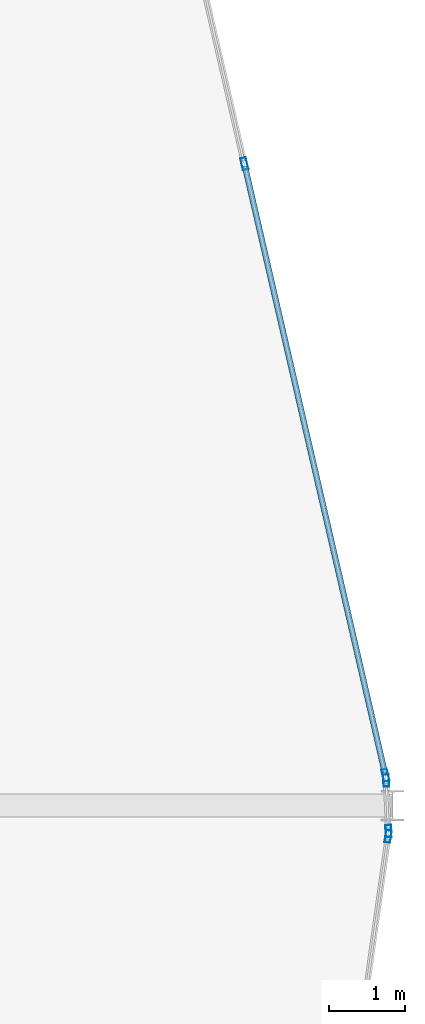
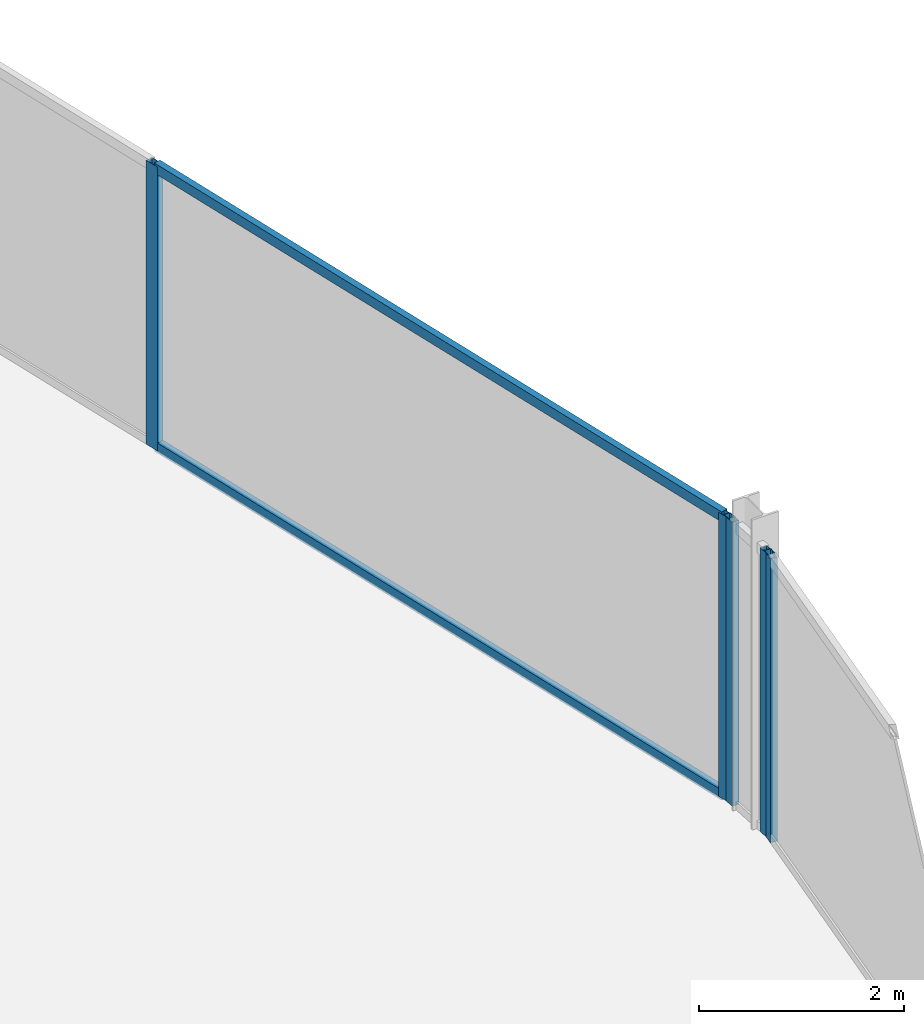
# One storey, part 14 of 27: 7 members, 3 elements without a shape of their own.
"""IFC4 building model written with IfcOpenShell, lengths in metres."""

from ifc_helpers import new_model, si_unit, direction, frame, origin, origin_2d, place, context, subcontext, project, spatial, hollow_rectangle, extrude, material, layer, layer_set, material_profile, profile_set, type_object, element, aggregate, save


model = new_model("IFC4")

# Units and contexts
model_context = context("Model", 3, precision=1e-05, world=origin(), true_north=direction((0.0, 1.0)))
body_context = subcontext(model_context, "Body", "Model", "MODEL_VIEW")
ifc_project = project(units=[si_unit("LENGTHUNIT", "METRE"), si_unit("AREAUNIT", "SQUARE_METRE"), si_unit("VOLUMEUNIT", "CUBIC_METRE"), si_unit("PLANEANGLEUNIT", "RADIAN"), si_unit("MASSUNIT", "GRAM", prefix="KILO")], contexts=[model_context])

# Site, building, storey
site_placement = place(None, origin())
site = spatial("IfcSite", under=ifc_project, at=site_placement, CompositionType="ELEMENT")
building_placement = place(site_placement, origin())
building = spatial("IfcBuilding", under=site, at=building_placement, Name="Keshet Zoharim Tower", CompositionType="ELEMENT")
storey_placement = place(building_placement, frame((0.0, 0.0, 247.300048828125)))
storey = spatial("IfcBuildingStorey", under=building, at=storey_placement, Name="L61", CompositionType="ELEMENT", Elevation=247.300048828125)

# Curtain wall, members
ifc_material = material(Name="Aluminium 6063-T6", Category="aluminium")
ifc_layer = layer(ifc_material, 0.260009765625)
ifc_layer_set = layer_set([ifc_layer], Name="Aluminium 6063-T6")
curtain_wall_type = type_object("IfcCurtainWallType", Name="CW-SYS-06", PredefinedType="NOTDEFINED", material=ifc_layer_set)
curtain_wall_1_placement = place(storey_placement, origin())
curtain_wall_1 = element("IfcCurtainWall", 1, at=curtain_wall_1_placement, inside=storey, type_object=curtain_wall_type, Name="L61 Unitised Curtain Wall 09", PredefinedType="NOTDEFINED")
ifc_material_profile_1 = material_profile(ifc_material, hollow_rectangle(XDim=0.074951171875, YDim=0.159912109375, WallThickness=0.00390625, at=origin_2d()), Name="MUL-75x160")
ifc_profile_set_1 = profile_set([ifc_material_profile_1], Name="Aluminium 6063-T6")
member_type_1 = type_object("IfcMemberType", Name="CWM-M15", PredefinedType="MULLION", material=ifc_profile_set_1)
member_1_placement = place(storey_placement, frame((43.063232421875, 36.291259765625, 0.0), z_axis=(0.0, 0.0, 1.0), x_axis=(0.974398012932, 0.224829963294, 0.0)))
member_1 = element("IfcMember", 2, at=member_1_placement, type_object=member_type_1, Name="CW-06 mullion 3", PredefinedType="MULLION", context=body_context, shape_type="SweptSolid", body=[
    extrude(hollow_rectangle(XDim=0.074951171875, YDim=0.159912109375, WallThickness=0.00390625, at=origin_2d()), origin(), (0.0, 0.0, 1.0), 3.389892578125),
])
member_2_placement = place(storey_placement, frame((44.908203125, 28.296142578125, 0.0), z_axis=(0.0, 0.0, 1.0), x_axis=(0.974398012932, 0.224829963294, 0.0)))
member_2 = element("IfcMember", 3, at=member_2_placement, type_object=member_type_1, Name="CW-06 mullion 4", PredefinedType="MULLION", context=body_context, shape_type="SweptSolid", body=[
    extrude(hollow_rectangle(XDim=0.074951171875, YDim=0.159912109375, WallThickness=0.00390625, at=origin_2d()), origin(), (0.0, 0.0, 1.0), 3.389892578125),
])

curtain_wall_2_placement = place(storey_placement, origin())
curtain_wall_2 = element("IfcCurtainWall", 4, at=curtain_wall_2_placement, inside=storey, type_object=curtain_wall_type, Name="L61 Unitised Curtain Wall 10", PredefinedType="NOTDEFINED")
member_3_placement = place(storey_placement, frame((44.91748046875, 28.22705078125, 0.0), z_axis=(0.0, 0.0, 1.0), x_axis=(0.999040601801, 0.043793560626, 0.0)))
member_3 = element("IfcMember", 5, at=member_3_placement, type_object=member_type_1, Name="CW-06 mullion 1", PredefinedType="MULLION", context=body_context, shape_type="SweptSolid", body=[
    extrude(hollow_rectangle(XDim=0.074951171875, YDim=0.159912109375, WallThickness=0.00390625, at=origin_2d()), origin(), (0.0, 0.0, 1.0), 3.389892578125),
])
member_4_placement = place(storey_placement, frame((44.946533203125, 27.56689453125, 0.0), z_axis=(0.0, 0.0, 1.0), x_axis=(0.999040601801, 0.043793560626, 0.0)))
member_4 = element("IfcMember", 6, at=member_4_placement, type_object=member_type_1, Name="CW-06 mullion 2", PredefinedType="MULLION", context=body_context, shape_type="SweptSolid", body=[
    extrude(hollow_rectangle(XDim=0.074951171875, YDim=0.159912109375, WallThickness=0.00390625, at=origin_2d()), origin(), (0.0, 0.0, 1.0), 3.389892578125),
])
aggregate(curtain_wall_2, [member_3, member_4])

# Curtain wall, member
curtain_wall_3_placement = place(storey_placement, origin())
curtain_wall_3 = element("IfcCurtainWall", 7, at=curtain_wall_3_placement, inside=storey, type_object=curtain_wall_type, Name="L61 Unitised Curtain Wall 11", PredefinedType="NOTDEFINED")
member_5_placement = place(storey_placement, frame((44.943115234375, 27.497314453125, 0.0), z_axis=(0.0, 0.0, 1.0), x_axis=(0.990132057422, -0.140137464177, 0.0)))
member_5 = element("IfcMember", 8, at=member_5_placement, type_object=member_type_1, Name="CW-06 mullion 1", PredefinedType="MULLION", context=body_context, shape_type="SweptSolid", body=[
    extrude(hollow_rectangle(XDim=0.074951171875, YDim=0.159912109375, WallThickness=0.00390625, at=origin_2d()), origin(), (0.0, 0.0, 1.0), 3.389892578125),
])
aggregate(curtain_wall_3, [member_5])

# Member
ifc_material_profile_2 = material_profile(ifc_material, hollow_rectangle(XDim=0.074951171875, YDim=0.1201171875, WallThickness=0.00390625, at=origin_2d()), Name="TRN-75x120")
ifc_profile_set_2 = profile_set([ifc_material_profile_2], Name="Aluminium 6063-T6")
member_type_2 = type_object("IfcMemberType", Name="CWT-T12", PredefinedType="USERDEFINED", material=ifc_profile_set_2)
member_6_placement = place(storey_placement, frame((43.0712890625, 36.25732421875, 0.034912109375), z_axis=(0.224806904107, -0.974403333259, 0.0), x_axis=(0.974403333259, 0.224806904107, 0.0)))
member_6 = element("IfcMember", 9, at=member_6_placement, type_object=member_type_2, Name="CW-06 transom 3.1", ObjectType="TRANSOM", PredefinedType="USERDEFINED", context=body_context, shape_type="SweptSolid", body=[
    extrude(hollow_rectangle(XDim=0.074951171875, YDim=0.1201171875, WallThickness=0.00390625, at=origin_2d()), origin(), (0.0, 0.0, 1.0), 8.13525390625),
])

member_7_placement = place(storey_placement, frame((43.0712890625, 36.25732421875, 3.35498046875), z_axis=(0.224806904107, -0.974403333259, 0.0), x_axis=(0.974403333259, 0.224806904107, 0.0)))
member_7 = element("IfcMember", 10, at=member_7_placement, type_object=member_type_2, Name="CW-06 transom 3.2", ObjectType="TRANSOM", PredefinedType="USERDEFINED", context=body_context, shape_type="SweptSolid", body=[
    extrude(hollow_rectangle(XDim=0.074951171875, YDim=0.1201171875, WallThickness=0.00390625, at=origin_2d()), origin(), (0.0, 0.0, 1.0), 8.13525390625),
])

aggregate(curtain_wall_1, [member_1, member_2, member_6, member_7])

save(model, "model.ifc")
